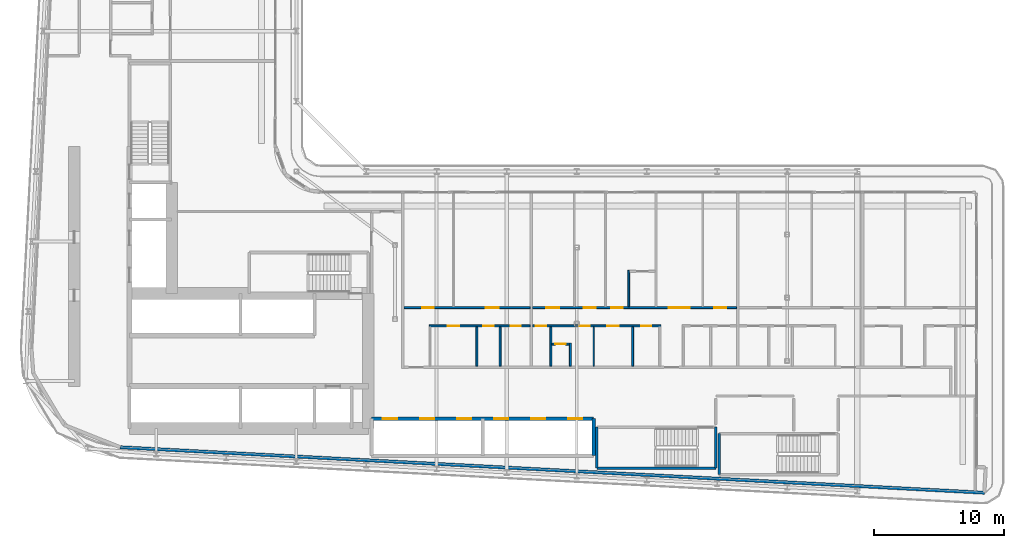
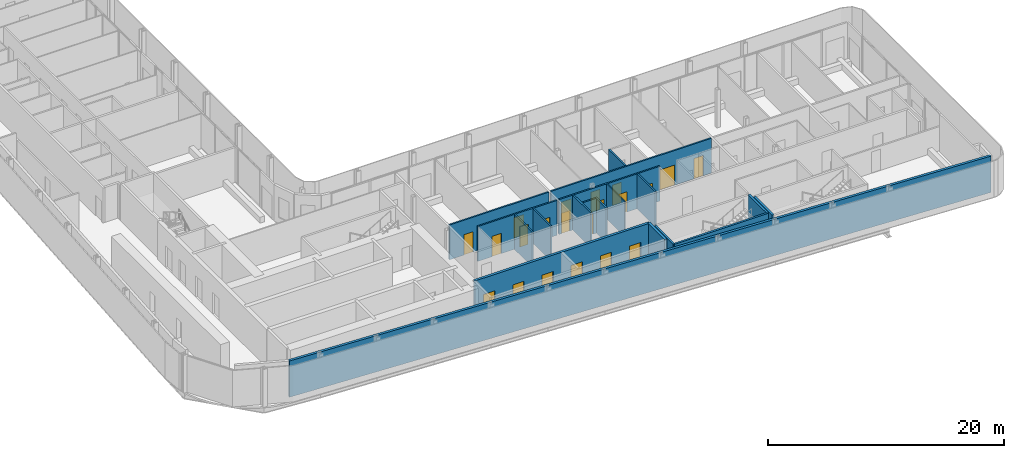
# One storey, part 14 of 28: 21 doors, 19 walls, 21 openings.
"""IFC4 building model written with IfcOpenShell, lengths in metres."""

from ifc_helpers import new_model, si_unit, direction, frame, frame_2d, origin, place, context, subcontext, project, spatial, rectangle, extrude, source, transform, mapped, material, layer, layer_set, type_object, element, fill, save


model = new_model("IFC4")

# Units and contexts
model_context = context("Model", 3, precision=1e-05, world=origin(), true_north=direction((0.0, 1.0)))
body_context = subcontext(model_context, "Body", "Model", "MODEL_VIEW")
ifc_project = project(units=[si_unit("LENGTHUNIT", "METRE"), si_unit("AREAUNIT", "SQUARE_METRE"), si_unit("VOLUMEUNIT", "CUBIC_METRE"), si_unit("PLANEANGLEUNIT", "RADIAN"), si_unit("MASSUNIT", "GRAM", prefix="KILO")], contexts=[model_context])

# Site, building, storey
site_placement = place(None, origin())
site = spatial("IfcSite", under=ifc_project, at=site_placement, CompositionType="ELEMENT")
building_placement = place(site_placement, origin())
building = spatial("IfcBuilding", under=site, at=building_placement, Name="Kheshtan School and Residences Tower", CompositionType="ELEMENT")
storey_placement = place(building_placement, frame((0.0, 0.0, 125.300048828125)))
storey = spatial("IfcBuildingStorey", under=building, at=storey_placement, Name="L29", CompositionType="ELEMENT", Elevation=125.300048828125)

# Walls
ifc_material_1 = material(Name="Concrete C40/50 with ceramic cladding and mineral wool insulation", Category="concrete")
ifc_layer_1 = layer(ifc_material_1, 0.25)
ifc_layer_set_1 = layer_set([ifc_layer_1], Name="External wall 250 ceramic clad")
wall_type_1 = type_object("IfcWallType", Name="External wall 250 ceramic clad", PredefinedType="SOLIDWALL", material=ifc_layer_set_1)
wall_1_placement = place(storey_placement, frame((100.5859375, 20.85009765625, 0.0), z_axis=(0.0, 0.0, 1.0), x_axis=(-0.99861746497, 0.052565755559, 0.0)))
element("IfcWall", 1, at=wall_1_placement, inside=storey, type_object=wall_type_1, Name="External wall L29 16", PredefinedType="SOLIDWALL", context=body_context, shape_type="SweptSolid", body=[
    extrude(rectangle(XDim=66.638916015625, YDim=0.25, at=frame_2d((33.3193359375, 0.0))), origin(), (0.0, 0.0, 1.0), 3.75),
])
ifc_material_2 = material(Name="Gypsum board on steel studs", Category="steel")
ifc_layer_2 = layer(ifc_material_2, 0.10009765625)
ifc_layer_set_2 = layer_set([ifc_layer_2], Name="Gypsum partition 100")
wall_type_2 = type_object("IfcWallType", Name="Gypsum partition 100", PredefinedType="PARTITIONING", material=ifc_layer_set_2)
wall_2_placement = place(storey_placement, frame((70.5, 30.60009765625, 0.0), z_axis=(0.0, 0.0, 1.0), x_axis=(0.0, 1.0, 0.0)))
element("IfcWall", 2, at=wall_2_placement, inside=storey, type_object=wall_type_2, Name="Partition L29-061", PredefinedType="PARTITIONING", context=body_context, shape_type="SweptSolid", body=[
    extrude(rectangle(XDim=3.02490234375, YDim=0.10009765625, at=frame_2d((1.512451171875, 0.0))), origin(), (0.0, 0.0, 1.0), 3.599853515625),
])
ifc_material_3 = material(Name="Fire-board shaft wall system")
ifc_layer_3 = layer(ifc_material_3, 0.25)
ifc_layer_set_3 = layer_set([ifc_layer_3], Name="Shaft lining wall 250")
wall_type_3 = type_object("IfcWallType", Name="Shaft lining wall 250", PredefinedType="PARTITIONING", material=ifc_layer_set_3)
wall_3_placement = place(storey_placement, frame((70.5, 23.699951171875, 0.0), z_axis=(0.0, 0.0, 1.0), x_axis=(0.0, 1.0, 0.0)))
element("IfcWall", 3, at=wall_3_placement, inside=storey, type_object=wall_type_3, Name="Shaft lining wall", PredefinedType="PARTITIONING", context=body_context, shape_type="SweptSolid", body=[
    extrude(rectangle(XDim=2.85009765625, YDim=0.25, at=frame_2d((1.425048828125, 0.0))), origin(), (0.0, 0.0, 1.0), 3.89990234375),
])

# Wall, openings, doors
wall_4_placement = place(storey_placement, frame((53.39990234375, 26.550048828125, 0.0), z_axis=(0.0, 0.0, 1.0), x_axis=(1.0, 0.0, 0.0)))
wall_4 = element("IfcWall", 4, at=wall_4_placement, inside=storey, type_object=wall_type_3, Name="Shaft lining wall", PredefinedType="PARTITIONING", context=body_context, shape_type="SweptSolid", body=[
    extrude(rectangle(XDim=17.10009765625, YDim=0.25, at=frame_2d((8.550048828125, 0.0))), origin(), (0.0, 0.0, 1.0), 3.89990234375),
])
opening_1_placement = place(wall_4_placement, frame((0.875, 0.0, 0.0)))
opening_1 = element("IfcOpeningElement", 5, at=opening_1_placement, cuts=wall_4, Name="Opening LD", PredefinedType="OPENING", context=body_context, shape_type="SweptSolid", body=[
    extrude(rectangle(XDim=1.10009765625, YDim=2.199951171875, at=frame_2d((0.550048828125, 1.10009765625))), frame((0.0, 0.135009765625, 0.0), z_axis=(0.0, -1.0, 0.0), x_axis=(1.0, 0.0, 0.0)), (0.0, 0.0, 1.0), 0.27001953125),
])
opening_2_placement = place(wall_4_placement, frame((3.72509765625, 0.0, 0.0)))
opening_2 = element("IfcOpeningElement", 6, at=opening_2_placement, cuts=wall_4, Name="Opening LD", PredefinedType="OPENING", context=body_context, shape_type="SweptSolid", body=[
    extrude(rectangle(XDim=1.10009765625, YDim=2.199951171875, at=frame_2d((0.550048828125, 1.10009765625))), frame((0.0, 0.135009765625, 0.0), z_axis=(0.0, -1.0, 0.0), x_axis=(1.0, 0.0, 0.0)), (0.0, 0.0, 1.0), 0.27001953125),
])
opening_3_placement = place(wall_4_placement, frame((6.574951171875, 0.0, 0.0)))
opening_3 = element("IfcOpeningElement", 7, at=opening_3_placement, cuts=wall_4, Name="Opening LD", PredefinedType="OPENING", context=body_context, shape_type="SweptSolid", body=[
    extrude(rectangle(XDim=1.10009765625, YDim=2.199951171875, at=frame_2d((0.550048828125, 1.10009765625))), frame((0.0, 0.135009765625, 0.0), z_axis=(0.0, -1.0, 0.0), x_axis=(1.0, 0.0, 0.0)), (0.0, 0.0, 1.0), 0.27001953125),
])
opening_4_placement = place(wall_4_placement, frame((9.425048828125, 0.0, 0.0)))
opening_4 = element("IfcOpeningElement", 8, at=opening_4_placement, cuts=wall_4, Name="Opening LD", PredefinedType="OPENING", context=body_context, shape_type="SweptSolid", body=[
    extrude(rectangle(XDim=1.10009765625, YDim=2.199951171875, at=frame_2d((0.550048828125, 1.10009765625))), frame((0.0, 0.135009765625, 0.0), z_axis=(0.0, -1.0, 0.0), x_axis=(1.0, 0.0, 0.0)), (0.0, 0.0, 1.0), 0.27001953125),
])
opening_5_placement = place(wall_4_placement, frame((12.27490234375, 0.0, 0.0)))
opening_5 = element("IfcOpeningElement", 9, at=opening_5_placement, cuts=wall_4, Name="Opening LD", PredefinedType="OPENING", context=body_context, shape_type="SweptSolid", body=[
    extrude(rectangle(XDim=1.10009765625, YDim=2.199951171875, at=frame_2d((0.550048828125, 1.10009765625))), frame((0.0, 0.135009765625, 0.0), z_axis=(0.0, -1.0, 0.0), x_axis=(1.0, 0.0, 0.0)), (0.0, 0.0, 1.0), 0.27001953125),
])
opening_6_placement = place(wall_4_placement, frame((15.125, 0.0, 0.0)))
opening_6 = element("IfcOpeningElement", 10, at=opening_6_placement, cuts=wall_4, Name="Opening LD", PredefinedType="OPENING", context=body_context, shape_type="SweptSolid", body=[
    extrude(rectangle(XDim=1.10009765625, YDim=2.199951171875, at=frame_2d((0.550048828125, 1.10009765625))), frame((0.0, 0.135009765625, 0.0), z_axis=(0.0, -1.0, 0.0), x_axis=(1.0, 0.0, 0.0)), (0.0, 0.0, 1.0), 0.27001953125),
])
ifc_material_4 = material(Name="Stainless steel door leaves", Category="steel")
door_type_1 = type_object("IfcDoorType", Name="Lift landing door 1100", OperationType="SLIDING_TO_LEFT", PredefinedType="DOOR", material=ifc_material_4)
shared_shape_1 = source(origin(), body_context, "Body", "SweptSolid", [
    extrude(rectangle(XDim=1.10009765625, YDim=2.199951171875, at=frame_2d((0.550048828125, 1.10009765625))), frame((0.0, 0.02490234375, 0.0), z_axis=(0.0, -1.0, 0.0), x_axis=(1.0, 0.0, 0.0)), (0.0, 0.0, 1.0), 0.050048828125),
])
door_1_placement = place(opening_1_placement, origin())
door_1 = element("IfcDoor", 11, at=door_1_placement, inside=storey, type_object=door_type_1, Name="Lift P1 landing door", OperationType="SLIDING_TO_LEFT", OverallHeight=2.199951171875, OverallWidth=1.10009765625, PredefinedType="DOOR", context=body_context, shape_type="MappedRepresentation", body=[
    mapped(shared_shape_1, transform((0.0, 0.0, 0.0), x_axis=(1.0, 0.0, 0.0), y_axis=(0.0, 1.0, 0.0), z_axis=(0.0, 0.0, 1.0), scale=1.0)),
])
fill(opening_1, door_1)
door_2_placement = place(opening_2_placement, origin())
door_2 = element("IfcDoor", 12, at=door_2_placement, inside=storey, type_object=door_type_1, Name="Lift P2 landing door", OperationType="SLIDING_TO_LEFT", OverallHeight=2.199951171875, OverallWidth=1.10009765625, PredefinedType="DOOR", context=body_context, shape_type="MappedRepresentation", body=[
    mapped(shared_shape_1, transform((0.0, 0.0, 0.0), x_axis=(1.0, 0.0, 0.0), y_axis=(0.0, 1.0, 0.0), z_axis=(0.0, 0.0, 1.0), scale=1.0)),
])
fill(opening_2, door_2)
door_3_placement = place(opening_3_placement, origin())
door_3 = element("IfcDoor", 13, at=door_3_placement, inside=storey, type_object=door_type_1, Name="Lift P3 landing door", OperationType="SLIDING_TO_LEFT", OverallHeight=2.199951171875, OverallWidth=1.10009765625, PredefinedType="DOOR", context=body_context, shape_type="MappedRepresentation", body=[
    mapped(shared_shape_1, transform((0.0, 0.0, 0.0), x_axis=(1.0, 0.0, 0.0), y_axis=(0.0, 1.0, 0.0), z_axis=(0.0, 0.0, 1.0), scale=1.0)),
])
fill(opening_3, door_3)
door_4_placement = place(opening_4_placement, origin())
door_4 = element("IfcDoor", 14, at=door_4_placement, inside=storey, type_object=door_type_1, Name="Lift P4 landing door", OperationType="SLIDING_TO_LEFT", OverallHeight=2.199951171875, OverallWidth=1.10009765625, PredefinedType="DOOR", context=body_context, shape_type="MappedRepresentation", body=[
    mapped(shared_shape_1, transform((0.0, 0.0, 0.0), x_axis=(1.0, 0.0, 0.0), y_axis=(0.0, 1.0, 0.0), z_axis=(0.0, 0.0, 1.0), scale=1.0)),
])
fill(opening_4, door_4)
door_5_placement = place(opening_5_placement, origin())
door_5 = element("IfcDoor", 15, at=door_5_placement, inside=storey, type_object=door_type_1, Name="Lift P5 landing door", OperationType="SLIDING_TO_LEFT", OverallHeight=2.199951171875, OverallWidth=1.10009765625, PredefinedType="DOOR", context=body_context, shape_type="MappedRepresentation", body=[
    mapped(shared_shape_1, transform((0.0, 0.0, 0.0), x_axis=(1.0, 0.0, 0.0), y_axis=(0.0, 1.0, 0.0), z_axis=(0.0, 0.0, 1.0), scale=1.0)),
])
fill(opening_5, door_5)
door_6_placement = place(opening_6_placement, origin())
door_6 = element("IfcDoor", 16, at=door_6_placement, inside=storey, type_object=door_type_1, Name="Lift P6 landing door", OperationType="SLIDING_TO_LEFT", OverallHeight=2.199951171875, OverallWidth=1.10009765625, PredefinedType="DOOR", context=body_context, shape_type="MappedRepresentation", body=[
    mapped(shared_shape_1, transform((0.0, 0.0, 0.0), x_axis=(1.0, 0.0, 0.0), y_axis=(0.0, 1.0, 0.0), z_axis=(0.0, 0.0, 1.0), scale=1.0)),
])
fill(opening_6, door_6)

# Walls
ifc_material_5 = material(Name="Concrete C40/50", Category="concrete")
ifc_layer_4 = layer(ifc_material_5, 0.199951171875)
ifc_layer_set_4 = layer_set([ifc_layer_4], Name="Stair enclosure wall 200 Concrete C40/50")
wall_type_4 = type_object("IfcWallType", Name="Stair enclosure wall 200 Concrete C40/50", PredefinedType="SHEAR", material=ifc_layer_set_4)
wall_5_placement = place(storey_placement, frame((80.159912109375, 22.25, 0.0), z_axis=(0.0, 0.0, 1.0), x_axis=(0.0, 1.0, 0.0)))
element("IfcWall", 17, at=wall_5_placement, inside=storey, type_object=wall_type_4, Name="Stair enclosure wall ST4", PredefinedType="SHEAR", context=body_context, shape_type="SweptSolid", body=[
    extrude(rectangle(XDim=3.14990234375, YDim=0.199951171875, at=frame_2d((1.574951171875, 0.0))), origin(), (0.0, 0.0, 1.0), 3.89990234375),
])
wall_6_placement = place(storey_placement, frame((70.75, 22.75, 0.0), z_axis=(0.0, 0.0, 1.0), x_axis=(1.0, 0.0, 0.0)))
element("IfcWall", 18, at=wall_6_placement, inside=storey, type_object=wall_type_4, Name="Stair enclosure wall ST5", PredefinedType="SHEAR", context=body_context, shape_type="SweptSolid", body=[
    extrude(rectangle(XDim=9.159912109375, YDim=0.199951171875, at=frame_2d((4.580078125, 0.0))), origin(), (0.0, 0.0, 1.0), 3.89990234375),
])
for number, where, z_axis, x_axis, name in (
    (19, (70.75, 22.75, 0.0), (0.0, 0.0, 1.0), (0.0, 1.0, 0.0), "Stair enclosure wall ST5"),
    (20, (79.909912109375, 22.75, 0.0), (0.0, 0.0, 1.0), (0.0, 1.0, 0.0), "Stair enclosure wall ST5"),
):
    element("IfcWall", number, at=place(storey_placement, frame(where, z_axis=z_axis, x_axis=x_axis)), inside=storey, type_object=wall_type_4, Name=name, PredefinedType="SHEAR", context=body_context, shape_type="SweptSolid", body=[
        extrude(rectangle(XDim=3.14990234375, YDim=0.199951171875, at=frame_2d((1.574951171875, 0.0))), origin(), (0.0, 0.0, 1.0), 3.89990234375),
    ])

# Wall, openings, doors
ifc_material_6 = material(Name="Moisture-resistant gypsum board on steel studs", Category="steel")
ifc_layer_5 = layer(ifc_material_6, 0.14990234375)
ifc_layer_set_5 = layer_set([ifc_layer_5], Name="Wet-room partition 150")
wall_type_5 = type_object("IfcWallType", Name="Wet-room partition 150", PredefinedType="PARTITIONING", material=ifc_layer_set_5)
wall_7_placement = place(storey_placement, frame((55.89990234375, 35.10009765625, 0.0), z_axis=(0.0, 0.0, 1.0), x_axis=(1.0, 0.0, 0.0)))
wall_7 = element("IfcWall", 21, at=wall_7_placement, inside=storey, type_object=wall_type_5, Name="Partition L29-048", PredefinedType="PARTITIONING", context=body_context, shape_type="SweptSolid", body=[
    extrude(rectangle(XDim=9.7001953125, YDim=0.14990234375, at=frame_2d((4.85009765625, 0.0))), origin(), (0.0, 0.0, 1.0), 3.599853515625),
])
opening_7_placement = place(wall_7_placement, frame((1.39990234375, 0.0, 0.0)))
opening_7 = element("IfcOpeningElement", 22, at=opening_7_placement, cuts=wall_7, Name="Opening D29-002", PredefinedType="OPENING", context=body_context, shape_type="SweptSolid", body=[
    extrude(rectangle(XDim=0.89990234375, YDim=2.10009765625, at=frame_2d((0.449951171875, 1.050048828125))), frame((0.0, 0.0849609375, 0.0), z_axis=(0.0, -1.0, 0.0), x_axis=(1.0, 0.0, 0.0)), (0.0, 0.0, 1.0), 0.169921875),
])
opening_8_placement = place(wall_7_placement, frame((6.300048828125, 0.0, 0.0)))
opening_8 = element("IfcOpeningElement", 23, at=opening_8_placement, cuts=wall_7, Name="Opening D29-005", PredefinedType="OPENING", context=body_context, shape_type="SweptSolid", body=[
    extrude(rectangle(XDim=1.0, YDim=2.10009765625, at=frame_2d((0.5, 1.050048828125))), frame((0.0, 0.0849609375, 0.0), z_axis=(0.0, -1.0, 0.0), x_axis=(1.0, 0.0, 0.0)), (0.0, 0.0, 1.0), 0.169921875),
])
ifc_material_7 = material(Name="Veneered timber door leaf", Category="wood")
door_type_2 = type_object("IfcDoorType", Name="Door 1000 x 2100", OperationType="SINGLE_SWING_LEFT", PredefinedType="DOOR", material=ifc_material_7)
shared_shape_2 = source(origin(), body_context, "Body", "SweptSolid", [
    extrude(rectangle(XDim=1.0, YDim=2.10009765625, at=frame_2d((0.5, 1.050048828125))), frame((0.0, 0.02490234375, 0.0), z_axis=(0.0, -1.0, 0.0), x_axis=(1.0, 0.0, 0.0)), (0.0, 0.0, 1.0), 0.050048828125),
])
door_7_placement = place(opening_8_placement, origin())
door_7 = element("IfcDoor", 24, at=door_7_placement, inside=storey, type_object=door_type_2, Name="Door D29-005", OperationType="SINGLE_SWING_RIGHT", OverallHeight=2.10009765625, OverallWidth=1.0, PredefinedType="DOOR", context=body_context, shape_type="MappedRepresentation", body=[
    mapped(shared_shape_2, transform((0.0, 0.0, 0.0), x_axis=(1.0, 0.0, 0.0), y_axis=(0.0, 1.0, 0.0), z_axis=(0.0, 0.0, 1.0), scale=1.0)),
])
fill(opening_8, door_7)
door_type_3 = type_object("IfcDoorType", Name="Door 900 x 2100", OperationType="SINGLE_SWING_LEFT", PredefinedType="DOOR", material=ifc_material_7)
shared_shape_3 = source(origin(), body_context, "Body", "SweptSolid", [
    extrude(rectangle(XDim=0.89990234375, YDim=2.10009765625, at=frame_2d((0.449951171875, 1.050048828125))), frame((0.0, 0.02490234375, 0.0), z_axis=(0.0, -1.0, 0.0), x_axis=(1.0, 0.0, 0.0)), (0.0, 0.0, 1.0), 0.050048828125),
])
door_8_placement = place(opening_7_placement, origin())
door_8 = element("IfcDoor", 25, at=door_8_placement, inside=storey, type_object=door_type_3, Name="Door D29-002", OperationType="SINGLE_SWING_RIGHT", OverallHeight=2.10009765625, OverallWidth=0.89990234375, PredefinedType="DOOR", context=body_context, shape_type="MappedRepresentation", body=[
    mapped(shared_shape_3, transform((0.0, 0.0, 0.0), x_axis=(1.0, 0.0, 0.0), y_axis=(0.0, 1.0, 0.0), z_axis=(0.0, 0.0, 1.0), scale=1.0)),
])
fill(opening_7, door_8)

wall_8_placement = place(storey_placement, frame((57.85009765625, 33.699951171875, 0.0), z_axis=(0.0, 0.0, 1.0), x_axis=(1.0, 0.0, 0.0)))
wall_8 = element("IfcWall", 26, at=wall_8_placement, inside=storey, type_object=wall_type_5, Name="Partition L29-049", PredefinedType="PARTITIONING", context=body_context, shape_type="SweptSolid", body=[
    extrude(rectangle(XDim=7.75, YDim=0.14990234375, at=frame_2d((3.875, 0.0))), origin(), (0.0, 0.0, 1.0), 3.599853515625),
])
opening_9_placement = place(wall_8_placement, frame((6.25, 0.0, 0.0)))
opening_9 = element("IfcOpeningElement", 27, at=opening_9_placement, cuts=wall_8, Name="Opening D29-001", PredefinedType="OPENING", context=body_context, shape_type="SweptSolid", body=[
    extrude(rectangle(XDim=0.800048828125, YDim=2.10009765625, at=frame_2d((0.39990234375, 1.050048828125))), frame((0.0, 0.0849609375, 0.0), z_axis=(0.0, -1.0, 0.0), x_axis=(1.0, 0.0, 0.0)), (0.0, 0.0, 1.0), 0.169921875),
])
opening_10_placement = place(wall_8_placement, frame((1.39990234375, 0.0, 0.0)))
opening_10 = element("IfcOpeningElement", 28, at=opening_10_placement, cuts=wall_8, Name="Opening D29-004", PredefinedType="OPENING", context=body_context, shape_type="SweptSolid", body=[
    extrude(rectangle(XDim=0.89990234375, YDim=2.10009765625, at=frame_2d((0.449951171875, 1.050048828125))), frame((0.0, 0.0849609375, 0.0), z_axis=(0.0, -1.0, 0.0), x_axis=(1.0, 0.0, 0.0)), (0.0, 0.0, 1.0), 0.169921875),
])
opening_11_placement = place(wall_8_placement, frame((4.14990234375, 0.0, 0.0)))
opening_11 = element("IfcOpeningElement", 29, at=opening_11_placement, cuts=wall_8, Name="Opening D29-006", PredefinedType="OPENING", context=body_context, shape_type="SweptSolid", body=[
    extrude(rectangle(XDim=0.800048828125, YDim=2.10009765625, at=frame_2d((0.39990234375, 1.050048828125))), frame((0.0, 0.0849609375, 0.0), z_axis=(0.0, -1.0, 0.0), x_axis=(1.0, 0.0, 0.0)), (0.0, 0.0, 1.0), 0.169921875),
])
door_type_4 = type_object("IfcDoorType", Name="Door 800 x 2100", OperationType="SINGLE_SWING_LEFT", PredefinedType="DOOR", material=ifc_material_7)
shared_shape_4 = source(origin(), body_context, "Body", "SweptSolid", [
    extrude(rectangle(XDim=0.800048828125, YDim=2.10009765625, at=frame_2d((0.39990234375, 1.050048828125))), frame((0.0, 0.02490234375, 0.0), z_axis=(0.0, -1.0, 0.0), x_axis=(1.0, 0.0, 0.0)), (0.0, 0.0, 1.0), 0.050048828125),
])
door_9_placement = place(opening_9_placement, origin())
door_9 = element("IfcDoor", 30, at=door_9_placement, inside=storey, type_object=door_type_4, Name="Door D29-001", OperationType="SINGLE_SWING_LEFT", OverallHeight=2.10009765625, OverallWidth=0.800048828125, PredefinedType="DOOR", context=body_context, shape_type="MappedRepresentation", body=[
    mapped(shared_shape_4, transform((0.0, 0.0, 0.0), x_axis=(1.0, 0.0, 0.0), y_axis=(0.0, 1.0, 0.0), z_axis=(0.0, 0.0, 1.0), scale=1.0)),
])
fill(opening_9, door_9)
door_10_placement = place(opening_11_placement, origin())
door_10 = element("IfcDoor", 31, at=door_10_placement, inside=storey, type_object=door_type_4, Name="Door D29-006", OperationType="SINGLE_SWING_LEFT", OverallHeight=2.10009765625, OverallWidth=0.800048828125, PredefinedType="DOOR", context=body_context, shape_type="MappedRepresentation", body=[
    mapped(shared_shape_4, transform((0.0, 0.0, 0.0), x_axis=(1.0, 0.0, 0.0), y_axis=(0.0, 1.0, 0.0), z_axis=(0.0, 0.0, 1.0), scale=1.0)),
])
fill(opening_11, door_10)
door_11_placement = place(opening_10_placement, origin())
door_11 = element("IfcDoor", 32, at=door_11_placement, inside=storey, type_object=door_type_3, Name="Door D29-004", OperationType="SINGLE_SWING_LEFT", OverallHeight=2.10009765625, OverallWidth=0.89990234375, PredefinedType="DOOR", context=body_context, shape_type="MappedRepresentation", body=[
    mapped(shared_shape_3, transform((0.0, 0.0, 0.0), x_axis=(1.0, 0.0, 0.0), y_axis=(0.0, 1.0, 0.0), z_axis=(0.0, 0.0, 1.0), scale=1.0)),
])
fill(opening_10, door_11)

# Walls
for number, where, z_axis, x_axis, name in (
    (33, (61.5, 30.60009765625, 0.0), (0.0, 0.0, 1.0), (0.0, 1.0, 0.0), "Partition L29-052"),
    (34, (63.300048828125, 30.60009765625, 0.0), (0.0, 0.0, 1.0), (0.0, 1.0, 0.0), "Partition L29-053"),
):
    element("IfcWall", number, at=place(storey_placement, frame(where, z_axis=z_axis, x_axis=x_axis)), inside=storey, type_object=wall_type_5, Name=name, PredefinedType="PARTITIONING", context=body_context, shape_type="SweptSolid", body=[
        extrude(rectangle(XDim=3.02490234375, YDim=0.14990234375, at=frame_2d((1.512451171875, 0.0))), origin(), (0.0, 0.0, 1.0), 3.599853515625),
    ])

# Wall, openings, doors
wall_9_placement = place(storey_placement, frame((65.800048828125, 33.699951171875, 0.0), z_axis=(0.0, 0.0, 1.0), x_axis=(1.0, 0.0, 0.0)))
wall_9 = element("IfcWall", 35, at=wall_9_placement, inside=storey, type_object=wall_type_5, Name="Partition L29-055", PredefinedType="PARTITIONING", context=body_context, shape_type="SweptSolid", body=[
    extrude(rectangle(XDim=9.875, YDim=0.14990234375, at=frame_2d((4.9375, 0.0))), origin(), (0.0, 0.0, 1.0), 3.599853515625),
])
opening_12_placement = place(wall_9_placement, frame((8.35009765625, 0.0, 0.0)))
opening_12 = element("IfcOpeningElement", 36, at=opening_12_placement, cuts=wall_9, Name="Opening D29-007", PredefinedType="OPENING", context=body_context, shape_type="SweptSolid", body=[
    extrude(rectangle(XDim=0.800048828125, YDim=2.10009765625, at=frame_2d((0.39990234375, 1.050048828125))), frame((0.0, 0.0849609375, 0.0), z_axis=(0.0, -1.0, 0.0), x_axis=(1.0, 0.0, 0.0)), (0.0, 0.0, 1.0), 0.169921875),
])
opening_13_placement = place(wall_9_placement, frame((5.75, 0.0, 0.0)))
opening_13 = element("IfcOpeningElement", 37, at=opening_13_placement, cuts=wall_9, Name="Opening D29-014", PredefinedType="OPENING", context=body_context, shape_type="SweptSolid", body=[
    extrude(rectangle(XDim=0.89990234375, YDim=2.10009765625, at=frame_2d((0.449951171875, 1.050048828125))), frame((0.0, 0.0849609375, 0.0), z_axis=(0.0, -1.0, 0.0), x_axis=(1.0, 0.0, 0.0)), (0.0, 0.0, 1.0), 0.169921875),
])
opening_14_placement = place(wall_9_placement, frame((3.60009765625, 0.0, 0.0)))
opening_14 = element("IfcOpeningElement", 38, at=opening_14_placement, cuts=wall_9, Name="Opening D29-016", PredefinedType="OPENING", context=body_context, shape_type="SweptSolid", body=[
    extrude(rectangle(XDim=0.800048828125, YDim=2.10009765625, at=frame_2d((0.39990234375, 1.050048828125))), frame((0.0, 0.0849609375, 0.0), z_axis=(0.0, -1.0, 0.0), x_axis=(1.0, 0.0, 0.0)), (0.0, 0.0, 1.0), 0.169921875),
])
opening_15_placement = place(wall_9_placement, frame((0.25, 0.0, 0.0)))
opening_15 = element("IfcOpeningElement", 39, at=opening_15_placement, cuts=wall_9, Name="Opening D29-020", PredefinedType="OPENING", context=body_context, shape_type="SweptSolid", body=[
    extrude(rectangle(XDim=0.800048828125, YDim=2.10009765625, at=frame_2d((0.39990234375, 1.050048828125))), frame((0.0, 0.0849609375, 0.0), z_axis=(0.0, -1.0, 0.0), x_axis=(1.0, 0.0, 0.0)), (0.0, 0.0, 1.0), 0.169921875),
])
door_12_placement = place(opening_12_placement, origin())
door_12 = element("IfcDoor", 40, at=door_12_placement, inside=storey, type_object=door_type_4, Name="Door D29-007", OperationType="SINGLE_SWING_LEFT", OverallHeight=2.10009765625, OverallWidth=0.800048828125, PredefinedType="DOOR", context=body_context, shape_type="MappedRepresentation", body=[
    mapped(shared_shape_4, transform((0.0, 0.0, 0.0), x_axis=(1.0, 0.0, 0.0), y_axis=(0.0, 1.0, 0.0), z_axis=(0.0, 0.0, 1.0), scale=1.0)),
])
fill(opening_12, door_12)
door_13_placement = place(opening_14_placement, origin())
door_13 = element("IfcDoor", 41, at=door_13_placement, inside=storey, type_object=door_type_4, Name="Door D29-016", OperationType="SINGLE_SWING_LEFT", OverallHeight=2.10009765625, OverallWidth=0.800048828125, PredefinedType="DOOR", context=body_context, shape_type="MappedRepresentation", body=[
    mapped(shared_shape_4, transform((0.0, 0.0, 0.0), x_axis=(1.0, 0.0, 0.0), y_axis=(0.0, 1.0, 0.0), z_axis=(0.0, 0.0, 1.0), scale=1.0)),
])
fill(opening_14, door_13)
door_14_placement = place(opening_15_placement, origin())
door_14 = element("IfcDoor", 42, at=door_14_placement, inside=storey, type_object=door_type_4, Name="Door D29-020", OperationType="SINGLE_SWING_LEFT", OverallHeight=2.10009765625, OverallWidth=0.800048828125, PredefinedType="DOOR", context=body_context, shape_type="MappedRepresentation", body=[
    mapped(shared_shape_4, transform((0.0, 0.0, 0.0), x_axis=(1.0, 0.0, 0.0), y_axis=(0.0, 1.0, 0.0), z_axis=(0.0, 0.0, 1.0), scale=1.0)),
])
fill(opening_15, door_14)
door_15_placement = place(opening_13_placement, origin())
door_15 = element("IfcDoor", 43, at=door_15_placement, inside=storey, type_object=door_type_3, Name="Door D29-014", OperationType="SINGLE_SWING_LEFT", OverallHeight=2.10009765625, OverallWidth=0.89990234375, PredefinedType="DOOR", context=body_context, shape_type="MappedRepresentation", body=[
    mapped(shared_shape_3, transform((0.0, 0.0, 0.0), x_axis=(1.0, 0.0, 0.0), y_axis=(0.0, 1.0, 0.0), z_axis=(0.0, 0.0, 1.0), scale=1.0)),
])
fill(opening_13, door_15)

wall_10_placement = place(storey_placement, frame((65.800048828125, 35.10009765625, 0.0), z_axis=(0.0, 0.0, 1.0), x_axis=(1.0, 0.0, 0.0)))
wall_10 = element("IfcWall", 44, at=wall_10_placement, inside=storey, type_object=wall_type_5, Name="Partition L29-056", PredefinedType="PARTITIONING", context=body_context, shape_type="SweptSolid", body=[
    extrude(rectangle(XDim=15.699951171875, YDim=0.14990234375, at=frame_2d((7.85009765625, 0.0))), origin(), (0.0, 0.0, 1.0), 3.599853515625),
])
opening_16_placement = place(wall_10_placement, frame((3.949951171875, 0.0, 0.0)))
opening_16 = element("IfcOpeningElement", 45, at=opening_16_placement, cuts=wall_10, Name="Opening D29-009", PredefinedType="OPENING", context=body_context, shape_type="SweptSolid", body=[
    extrude(rectangle(XDim=0.89990234375, YDim=2.10009765625, at=frame_2d((0.449951171875, 1.050048828125))), frame((0.0, 0.0849609375, 0.0), z_axis=(0.0, -1.0, 0.0), x_axis=(1.0, 0.0, 0.0)), (0.0, 0.0, 1.0), 0.169921875),
])
opening_17_placement = place(wall_10_placement, frame((14.0, 0.0, 0.0)))
opening_17 = element("IfcOpeningElement", 46, at=opening_17_placement, cuts=wall_10, Name="Opening D29-010", PredefinedType="OPENING", context=body_context, shape_type="SweptSolid", body=[
    extrude(rectangle(XDim=0.89990234375, YDim=2.10009765625, at=frame_2d((0.449951171875, 1.050048828125))), frame((0.0, 0.0849609375, 0.0), z_axis=(0.0, -1.0, 0.0), x_axis=(1.0, 0.0, 0.0)), (0.0, 0.0, 1.0), 0.169921875),
])
opening_18_placement = place(wall_10_placement, frame((1.050048828125, 0.0, 0.0)))
opening_18 = element("IfcOpeningElement", 47, at=opening_18_placement, cuts=wall_10, Name="Opening D29-015", PredefinedType="OPENING", context=body_context, shape_type="SweptSolid", body=[
    extrude(rectangle(XDim=1.0, YDim=2.10009765625, at=frame_2d((0.5, 1.050048828125))), frame((0.0, 0.0849609375, 0.0), z_axis=(0.0, -1.0, 0.0), x_axis=(1.0, 0.0, 0.0)), (0.0, 0.0, 1.0), 0.169921875),
])
opening_19_placement = place(wall_10_placement, frame((10.5, 0.0, 0.0)))
opening_19 = element("IfcOpeningElement", 48, at=opening_19_placement, cuts=wall_10, Name="Opening D29-018", PredefinedType="OPENING", context=body_context, shape_type="SweptSolid", body=[
    extrude(rectangle(XDim=1.60009765625, YDim=2.10009765625, at=frame_2d((0.800048828125, 1.050048828125))), frame((0.0, 0.0849609375, 0.0), z_axis=(0.0, -1.0, 0.0), x_axis=(1.0, 0.0, 0.0)), (0.0, 0.0, 1.0), 0.169921875),
])
opening_20_placement = place(wall_10_placement, frame((6.050048828125, 0.0, 0.0)))
opening_20 = element("IfcOpeningElement", 49, at=opening_20_placement, cuts=wall_10, Name="Opening D29-019", PredefinedType="OPENING", context=body_context, shape_type="SweptSolid", body=[
    extrude(rectangle(XDim=0.89990234375, YDim=2.10009765625, at=frame_2d((0.449951171875, 1.050048828125))), frame((0.0, 0.0849609375, 0.0), z_axis=(0.0, -1.0, 0.0), x_axis=(1.0, 0.0, 0.0)), (0.0, 0.0, 1.0), 0.169921875),
])
door_16_placement = place(opening_18_placement, origin())
door_16 = element("IfcDoor", 50, at=door_16_placement, inside=storey, type_object=door_type_2, Name="Door D29-015", OperationType="SINGLE_SWING_RIGHT", OverallHeight=2.10009765625, OverallWidth=1.0, PredefinedType="DOOR", context=body_context, shape_type="MappedRepresentation", body=[
    mapped(shared_shape_2, transform((0.0, 0.0, 0.0), x_axis=(1.0, 0.0, 0.0), y_axis=(0.0, 1.0, 0.0), z_axis=(0.0, 0.0, 1.0), scale=1.0)),
])
fill(opening_18, door_16)
door_17_placement = place(opening_16_placement, origin())
door_17 = element("IfcDoor", 51, at=door_17_placement, inside=storey, type_object=door_type_3, Name="Door D29-009", OperationType="SINGLE_SWING_RIGHT", OverallHeight=2.10009765625, OverallWidth=0.89990234375, PredefinedType="DOOR", context=body_context, shape_type="MappedRepresentation", body=[
    mapped(shared_shape_3, transform((0.0, 0.0, 0.0), x_axis=(1.0, 0.0, 0.0), y_axis=(0.0, 1.0, 0.0), z_axis=(0.0, 0.0, 1.0), scale=1.0)),
])
fill(opening_16, door_17)
door_18_placement = place(opening_17_placement, origin())
door_18 = element("IfcDoor", 52, at=door_18_placement, inside=storey, type_object=door_type_3, Name="Door D29-010", OperationType="SINGLE_SWING_RIGHT", OverallHeight=2.10009765625, OverallWidth=0.89990234375, PredefinedType="DOOR", context=body_context, shape_type="MappedRepresentation", body=[
    mapped(shared_shape_3, transform((0.0, 0.0, 0.0), x_axis=(1.0, 0.0, 0.0), y_axis=(0.0, 1.0, 0.0), z_axis=(0.0, 0.0, 1.0), scale=1.0)),
])
fill(opening_17, door_18)
door_19_placement = place(opening_20_placement, origin())
door_19 = element("IfcDoor", 53, at=door_19_placement, inside=storey, type_object=door_type_3, Name="Door D29-019", OperationType="SINGLE_SWING_LEFT", OverallHeight=2.10009765625, OverallWidth=0.89990234375, PredefinedType="DOOR", context=body_context, shape_type="MappedRepresentation", body=[
    mapped(shared_shape_3, transform((0.0, 0.0, 0.0), x_axis=(1.0, 0.0, 0.0), y_axis=(0.0, 1.0, 0.0), z_axis=(0.0, 0.0, 1.0), scale=1.0)),
])
fill(opening_20, door_19)
door_type_5 = type_object("IfcDoorType", Name="Double door 1600 x 2100", OperationType="DOUBLE_DOOR_SINGLE_SWING", PredefinedType="DOOR", material=ifc_material_7)
shared_shape_5 = source(origin(), body_context, "Body", "SweptSolid", [
    extrude(rectangle(XDim=1.60009765625, YDim=2.10009765625, at=frame_2d((0.800048828125, 1.050048828125))), frame((0.0, 0.02490234375, 0.0), z_axis=(0.0, -1.0, 0.0), x_axis=(1.0, 0.0, 0.0)), (0.0, 0.0, 1.0), 0.050048828125),
])
door_20_placement = place(opening_19_placement, origin())
door_20 = element("IfcDoor", 54, at=door_20_placement, inside=storey, type_object=door_type_5, Name="Door D29-018", OperationType="DOUBLE_DOOR_SINGLE_SWING", OverallHeight=2.10009765625, OverallWidth=1.60009765625, PredefinedType="DOOR", context=body_context, shape_type="MappedRepresentation", body=[
    mapped(shared_shape_5, transform((0.0, 0.0, 0.0), x_axis=(1.0, 0.0, 0.0), y_axis=(0.0, 1.0, 0.0), z_axis=(0.0, 0.0, 1.0), scale=1.0)),
])
fill(opening_19, door_20)

# Wall
wall_11_placement = place(storey_placement, frame((67.199951171875, 30.60009765625, 0.0), z_axis=(0.0, 0.0, 1.0), x_axis=(0.0, 1.0, 0.0)))
element("IfcWall", 55, at=wall_11_placement, inside=storey, type_object=wall_type_5, Name="Partition L29-057", PredefinedType="PARTITIONING", context=body_context, shape_type="SweptSolid", body=[
    extrude(rectangle(XDim=3.02490234375, YDim=0.14990234375, at=frame_2d((1.512451171875, 0.0))), origin(), (0.0, 0.0, 1.0), 3.599853515625),
])

# Wall, opening, door
wall_12_placement = place(storey_placement, frame((67.27490234375, 32.300048828125, 0.0), z_axis=(0.0, 0.0, 1.0), x_axis=(1.0, 0.0, 0.0)))
wall_12 = element("IfcWall", 56, at=wall_12_placement, inside=storey, type_object=wall_type_5, Name="Partition L29-058", PredefinedType="PARTITIONING", context=body_context, shape_type="SweptSolid", body=[
    extrude(rectangle(XDim=1.35009765625, YDim=0.14990234375, at=frame_2d((0.675048828125, 0.0))), origin(), (0.0, 0.0, 1.0), 3.599853515625),
])
opening_21_placement = place(wall_12_placement, frame((0.27490234375, 0.0, 0.0)))
opening_21 = element("IfcOpeningElement", 57, at=opening_21_placement, cuts=wall_12, Name="Opening D29-017", PredefinedType="OPENING", context=body_context, shape_type="SweptSolid", body=[
    extrude(rectangle(XDim=0.800048828125, YDim=2.10009765625, at=frame_2d((0.39990234375, 1.050048828125))), frame((0.0, 0.0849609375, 0.0), z_axis=(0.0, -1.0, 0.0), x_axis=(1.0, 0.0, 0.0)), (0.0, 0.0, 1.0), 0.169921875),
])
door_21_placement = place(opening_21_placement, origin())
door_21 = element("IfcDoor", 58, at=door_21_placement, inside=storey, type_object=door_type_4, Name="Door D29-017", OperationType="SINGLE_SWING_RIGHT", OverallHeight=2.10009765625, OverallWidth=0.800048828125, PredefinedType="DOOR", context=body_context, shape_type="MappedRepresentation", body=[
    mapped(shared_shape_4, transform((0.0, 0.0, 0.0), x_axis=(1.0, 0.0, 0.0), y_axis=(0.0, 1.0, 0.0), z_axis=(0.0, 0.0, 1.0), scale=1.0)),
])
fill(opening_21, door_21)

# Walls
wall_13_placement = place(storey_placement, frame((68.699951171875, 30.60009765625, 0.0), z_axis=(0.0, 0.0, 1.0), x_axis=(0.0, 1.0, 0.0)))
element("IfcWall", 59, at=wall_13_placement, inside=storey, type_object=wall_type_5, Name="Partition L29-059", PredefinedType="PARTITIONING", context=body_context, shape_type="SweptSolid", body=[
    extrude(rectangle(XDim=1.77490234375, YDim=0.14990234375, at=frame_2d((0.887451171875, 0.0))), origin(), (0.0, 0.0, 1.0), 3.599853515625),
])
wall_14_placement = place(storey_placement, frame((73.199951171875, 35.175048828125, 0.0), z_axis=(0.0, 0.0, 1.0), x_axis=(0.0, 1.0, 0.0)))
element("IfcWall", 60, at=wall_14_placement, inside=storey, type_object=wall_type_5, Name="Partition L29-063", PredefinedType="PARTITIONING", context=body_context, shape_type="SweptSolid", body=[
    extrude(rectangle(XDim=2.800048828125, YDim=0.14990234375, at=frame_2d((1.39990234375, 0.0))), origin(), (0.0, 0.0, 1.0), 3.599853515625),
])
wall_15_placement = place(storey_placement, frame((73.5, 30.60009765625, 0.0), z_axis=(0.0, 0.0, 1.0), x_axis=(0.0, 1.0, 0.0)))
element("IfcWall", 61, at=wall_15_placement, inside=storey, type_object=wall_type_5, Name="Partition L29-065", PredefinedType="PARTITIONING", context=body_context, shape_type="SweptSolid", body=[
    extrude(rectangle(XDim=3.02490234375, YDim=0.14990234375, at=frame_2d((1.512451171875, 0.0))), origin(), (0.0, 0.0, 1.0), 3.599853515625),
])

save(model, "model.ifc")
